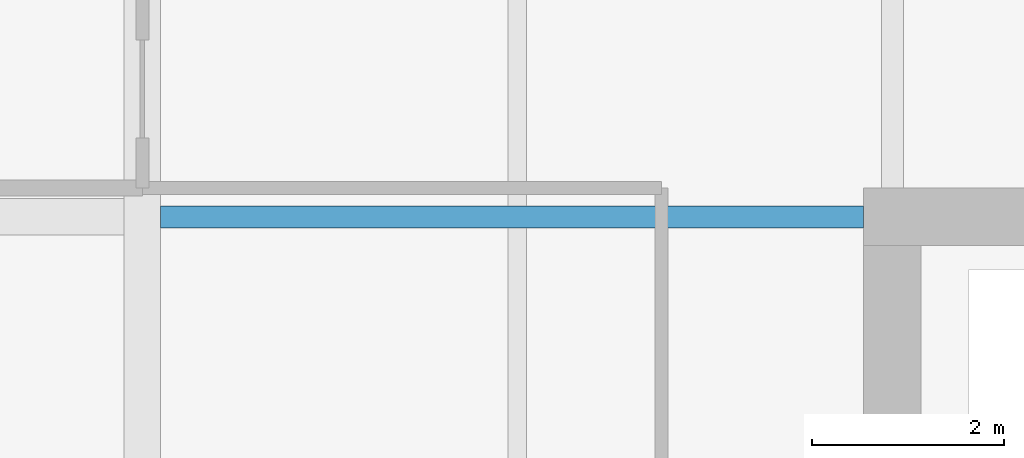
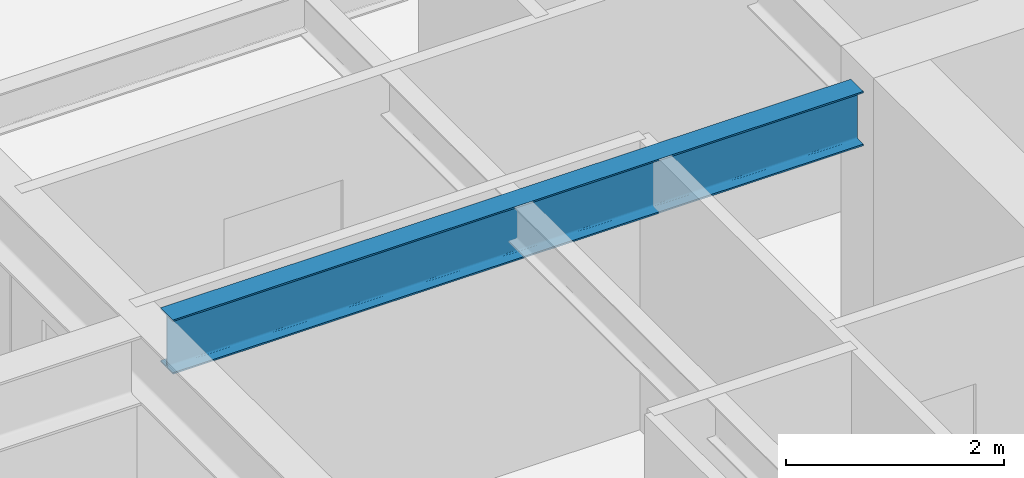
# One storey, part 17 of 33: 1 beam.
"""IFC4 building model written with IfcOpenShell, lengths in metres."""

from ifc_helpers import new_model, si_unit, direction, frame, origin, origin_2d, place, context, subcontext, project, spatial, i_section, extrude, material, material_profile, profile_set, type_object, element, save


model = new_model("IFC4")

# Units and contexts
model_context = context("Model", 3, precision=1e-05, world=origin(), true_north=direction((0.0, 1.0)))
body_context = subcontext(model_context, "Body", "Model", "MODEL_VIEW")
ifc_project = project(units=[si_unit("LENGTHUNIT", "METRE"), si_unit("AREAUNIT", "SQUARE_METRE"), si_unit("VOLUMEUNIT", "CUBIC_METRE"), si_unit("PLANEANGLEUNIT", "RADIAN"), si_unit("MASSUNIT", "GRAM", prefix="KILO")], contexts=[model_context])

# Site, building, storey
site_placement = place(None, origin())
site = spatial("IfcSite", under=ifc_project, at=site_placement, CompositionType="ELEMENT")
building_placement = place(site_placement, origin())
building = spatial("IfcBuilding", under=site, at=building_placement, Name="Drelvath Grand Hotel", CompositionType="ELEMENT")
storey_placement = place(building_placement, frame((0.0, 0.0, 105.800048828125)))
storey = spatial("IfcBuildingStorey", under=building, at=storey_placement, Name="L26", CompositionType="ELEMENT", Elevation=105.800048828125)

# Beam
ifc_material = material(Name="Steel ASTM A992 Gr 50", Category="steel")
ifc_material_profile = material_profile(ifc_material, i_section(OverallWidth=0.228271484375, OverallDepth=0.607666015625, WebThickness=0.01123046875, FlangeThickness=0.017333984375, FilletRadius=0.02001953125, at=origin_2d()), Name="W24X76")
ifc_profile_set = profile_set([ifc_material_profile], Name="Steel ASTM A992 Gr 50")
beam_type = type_object("IfcBeamType", Name="Primary Floor Girder W24X76", PredefinedType="BEAM", material=ifc_profile_set)
beam_placement = place(storey_placement, frame((-16.009765625, 35.39990234375, 2.93603515625), z_axis=(1.0, 0.0, 0.0), x_axis=(0.0, 1.0, 0.0)))
element("IfcBeam", 1, at=beam_placement, inside=storey, type_object=beam_type, Name="L26 West Core Tie F", PredefinedType="BEAM", context=body_context, shape_type="SweptSolid", body=[
    extrude(i_section(OverallWidth=0.228271484375, OverallDepth=0.607666015625, WebThickness=0.01123046875, FlangeThickness=0.017333984375, FilletRadius=0.02001953125, at=origin_2d()), origin(), (0.0, 0.0, 1.0), 7.309814453125),
])

save(model, "model.ifc")
